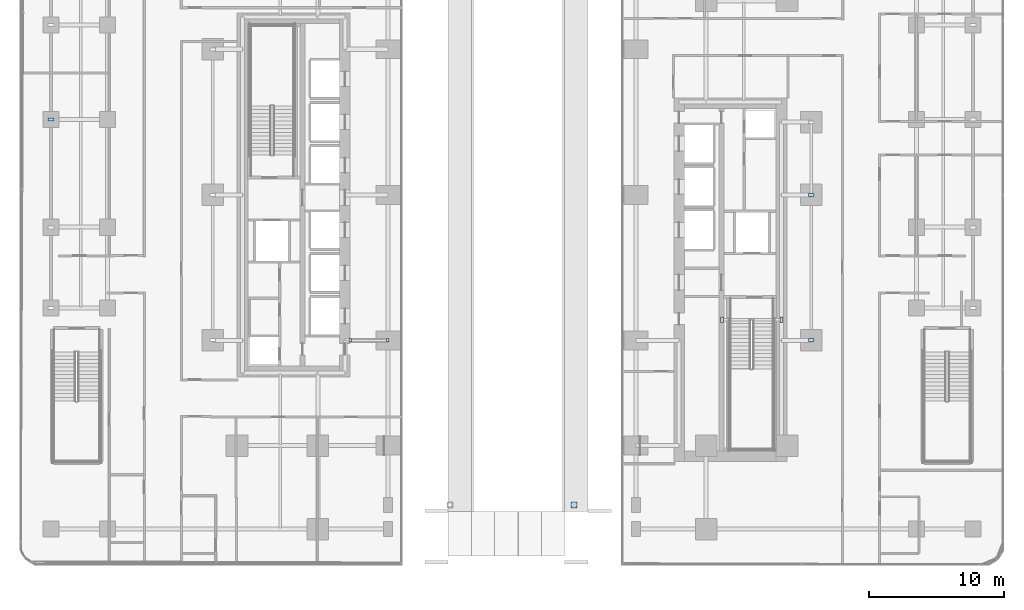
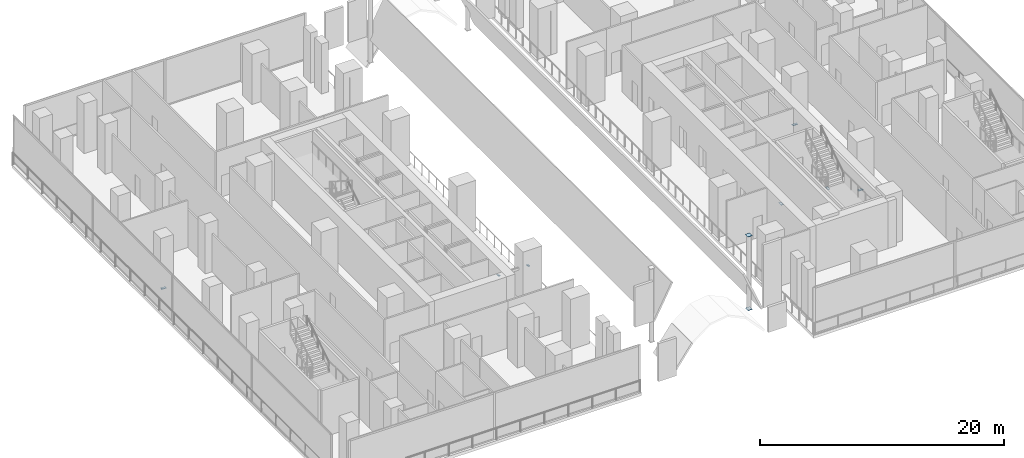
# One storey, part 6 of 31: 9 plates.
"""IFC4 building model written with IfcOpenShell, lengths in metres."""

import ifcopenshell
import ifcopenshell.guid

model = None  # the IFC model being written
_history = None  # IfcOwnerHistory: only IFC2X3 demands one
_inside = {}  # id of a spatial element -> (the spatial element, [elements in it])
_under = {}  # id of a project, library or spatial element -> (it, [spatial elements below it])
_declared = {}  # id of a project -> (the project, [libraries it declares])
_typed = {}  # id of a type object -> (the type object, [elements of that type])
_made_of = {}  # id of a material, layer set ... -> (it, [elements and type objects made of it])


def new_model(schema):
    """Start an empty IFC model of exactly this schema.

    Asked for "IFC4X3", IfcOpenShell would pick the latest addendum, in which some entities
    have other attributes; the version numbers below select the first issue.
    IFC2X3 requires an IfcOwnerHistory on every rooted entity: one is made here for all.
    """
    global model, _history
    if schema == "IFC4X3":
        model = ifcopenshell.file(schema_version=(4, 3, 0, 0))
    else:
        model = ifcopenshell.file(schema=schema)
    _inside.clear()
    _under.clear()
    _declared.clear()
    _typed.clear()
    _made_of.clear()
    _history = None
    if model.schema == "IFC2X3":
        org = make("IfcOrganization", Name="unknown")
        user = make(
            "IfcPersonAndOrganization",
            ThePerson=make("IfcPerson", FamilyName="unknown"),
            TheOrganization=org,
        )
        app = make(
            "IfcApplication",
            ApplicationDeveloper=org,
            Version="unknown",
            ApplicationFullName="unknown",
            ApplicationIdentifier="unknown",
        )
        _history = make(
            "IfcOwnerHistory",
            OwningUser=user,
            OwningApplication=app,
            ChangeAction="ADDED",
            CreationDate=0,
        )
    return model


def make(cls, **values):
    """One entity of the class cls with the attributes given. An attribute that is None is left unset."""
    return model.create_entity(
        cls, **{name: value for name, value in values.items() if value is not None}
    )


def rooted(cls, **values):
    """An entity with a GlobalId (a new one), such as an element, a storey or a relation."""
    return make(cls, GlobalId=ifcopenshell.guid.new(), OwnerHistory=_history, **values)


def si_unit(unit_type, name, prefix=None):
    """IfcSIUnit, for example si_unit("LENGTHUNIT", "METRE", prefix="MILLI")."""
    return make("IfcSIUnit", UnitType=unit_type, Prefix=prefix, Name=name)


def assignment(units):
    """IfcUnitAssignment: the units of a project."""
    return None if units is None else make("IfcUnitAssignment", Units=units)


def point(xyz):
    """IfcCartesianPoint."""
    return None if xyz is None else make("IfcCartesianPoint", Coordinates=xyz)


def direction(xyz):
    """IfcDirection."""
    return None if xyz is None else make("IfcDirection", DirectionRatios=xyz)


def frame(location, z_axis=None, x_axis=None):
    """IfcAxis2Placement3D, a coordinate frame: its origin and axes. An axis left out is left unset."""
    return make(
        "IfcAxis2Placement3D",
        Location=point(location),
        Axis=direction(z_axis),
        RefDirection=direction(x_axis),
    )


def frame_2d(location, x_axis=None):
    """IfcAxis2Placement2D, a coordinate frame in the plane: its origin and x axis."""
    return make(
        "IfcAxis2Placement2D", Location=point(location), RefDirection=direction(x_axis)
    )


def origin():
    """The frame at (0, 0, 0) with its axes left unset."""
    return frame((0.0, 0.0, 0.0))


def origin_2d():
    """The frame at (0, 0) in the plane with its x axis left unset."""
    return frame_2d((0.0, 0.0))


def place(relative_to, where):
    """IfcLocalPlacement: puts the frame where relative to a parent placement (None: the world)."""
    return make(
        "IfcLocalPlacement", PlacementRelTo=relative_to, RelativePlacement=where
    )


def context(
    kind, dimensions, precision=None, world=None, true_north=None, identifier=None
):
    """IfcGeometricRepresentationContext, for example the 3D "Model" context."""
    return make(
        "IfcGeometricRepresentationContext",
        ContextIdentifier=identifier,
        ContextType=kind,
        CoordinateSpaceDimension=dimensions,
        Precision=precision,
        WorldCoordinateSystem=world,
        TrueNorth=true_north,
    )


def subcontext(parent, identifier, kind, view, scale=None):
    """IfcGeometricRepresentationSubContext, for example "Body" below "Model"."""
    return make(
        "IfcGeometricRepresentationSubContext",
        ContextIdentifier=identifier,
        ContextType=kind,
        ParentContext=parent,
        TargetScale=scale,
        TargetView=view,
    )


def project(units=None, contexts=None):
    """IfcProject with its units and contexts."""
    return rooted(
        "IfcProject",
        Name="project",
        RepresentationContexts=contexts,
        UnitsInContext=assignment(units),
    )


def spatial(cls, under=None, at=None, **own):
    """A site, building, storey or space (cls), placed at a placement, below another one or the project."""
    s = rooted(cls, ObjectPlacement=at, **own)
    if under is not None:
        _under.setdefault(under.id(), (under, []))[1].append(s)
    return s


def profile(cls, at=None, kind="AREA", **sizes):
    """A parametric profile (cls). Its sizes go by their IFC names, for example OverallWidth=200.0."""
    return make(cls, ProfileType=kind, Position=at, **sizes)


def rectangle(**sizes):
    """IfcRectangleProfileDef."""
    return profile("IfcRectangleProfileDef", **sizes)


def extrude(swept, where, along, depth):
    """IfcExtrudedAreaSolid: the profile swept, set in the frame where, extruded along a direction by depth."""
    return make(
        "IfcExtrudedAreaSolid",
        SweptArea=swept,
        Position=where,
        ExtrudedDirection=direction(along),
        Depth=depth,
    )


def shape(context_of_items, identifier, shape_type, items):
    """IfcShapeRepresentation: the items that make up one representation, for example the "Body"."""
    return make(
        "IfcShapeRepresentation",
        ContextOfItems=context_of_items,
        RepresentationIdentifier=identifier,
        RepresentationType=shape_type,
        Items=items,
    )


def material(Name=None, Category=None):
    """IfcMaterial."""
    return make("IfcMaterial", Name=Name, Category=Category)


def layer(
    of_material, thickness, ventilated=None, Name=None, Category=None, Priority=None
):
    """IfcMaterialLayer: one layer of a wall or slab, of a material (None: an air gap)."""
    return make(
        "IfcMaterialLayer",
        Material=of_material,
        LayerThickness=thickness,
        IsVentilated=ventilated,
        Name=Name,
        Category=Category,
        Priority=Priority,
    )


def layer_set(layers, Name=None):
    """IfcMaterialLayerSet."""
    return make("IfcMaterialLayerSet", MaterialLayers=layers, LayerSetName=Name)


def made_of(thing, what):
    """Note that an element or type object is made of a material, layer set ...; save() writes the relation."""
    if what is not None:
        _made_of.setdefault(what.id(), (what, []))[1].append(thing)
    return thing


def type_object(cls, material=None, **own):
    """A type object (cls), such as IfcWallType, which elements share."""
    return made_of(rooted(cls, **own), material)


def element(
    cls,
    number,
    at=None,
    inside=None,
    cuts=None,
    type_object=None,
    material=None,
    context=None,
    identifier="Body",
    shape_type=None,
    held_by="IfcProductDefinitionShape",
    body=None,
    shapes=None,
    **own,
):
    """One element of the class cls, such as IfcWall. Its Tag is "e" and its number.

    at: its placement. inside: the storey or other place that contains it. cuts: it is an
    opening in that element (IfcRelVoidsElement). A single representation is given by context,
    identifier, shape_type and body (its items); several are given by shapes. held_by: the class
    of the entity that holds the representations. save() writes the other relations.
    """
    e = rooted(cls, Tag="e%d" % number, ObjectPlacement=at, **own)
    if body is not None:
        shapes = [shape(context, identifier, shape_type, body)]
    if shapes is not None:
        e.Representation = make(held_by, Representations=shapes)
    if inside is not None:
        _inside.setdefault(inside.id(), (inside, []))[1].append(e)
    if cuts is not None:
        rooted(
            "IfcRelVoidsElement", RelatingBuildingElement=cuts, RelatedOpeningElement=e
        )
    if type_object is not None:
        _typed.setdefault(type_object.id(), (type_object, []))[1].append(e)
    return made_of(e, material)


def aggregate(whole, parts):
    """IfcRelAggregates: a whole, such as a stair, and the parts it consists of."""
    return rooted("IfcRelAggregates", RelatingObject=whole, RelatedObjects=parts)


def save(model, path):
    """Write the relations noted so far, then the file.

    IfcRelAggregates (storeys below a building ...), IfcRelContainedInSpatialStructure (elements
    in a storey), IfcRelDefinesByType, IfcRelAssociatesMaterial and IfcRelDeclares: one each for
    every whole, place, type object, material and project.
    """
    for whole, parts in _under.values():
        aggregate(whole, parts)
    for where, things in _inside.values():
        rooted(
            "IfcRelContainedInSpatialStructure",
            RelatedElements=things,
            RelatingStructure=where,
        )
    for kind, things in _typed.values():
        rooted("IfcRelDefinesByType", RelatedObjects=things, RelatingType=kind)
    for what, things in _made_of.values():
        rooted("IfcRelAssociatesMaterial", RelatedObjects=things, RelatingMaterial=what)
    for by, libraries in _declared.values():
        rooted("IfcRelDeclares", RelatingContext=by, RelatedDefinitions=libraries)
    model.write(path)


model = new_model("IFC4")

# Units and contexts
model_context = context("Model", 3, precision=1e-05, world=origin(), true_north=direction((0.0, 1.0)))
body_context = subcontext(model_context, "Body", "Model", "MODEL_VIEW")
ifc_project = project(units=[si_unit("LENGTHUNIT", "METRE"), si_unit("AREAUNIT", "SQUARE_METRE"), si_unit("VOLUMEUNIT", "CUBIC_METRE"), si_unit("PLANEANGLEUNIT", "RADIAN"), si_unit("MASSUNIT", "GRAM", prefix="KILO")], contexts=[model_context])

# Site, building, storey
site_placement = place(None, origin())
site = spatial("IfcSite", under=ifc_project, at=site_placement, CompositionType="ELEMENT")
building_placement = place(site_placement, origin())
building = spatial("IfcBuilding", under=site, at=building_placement, Name="Khairoan Windgate Tower", CompositionType="ELEMENT")
storey_placement = place(building_placement, frame((0.0, 0.0, 11.0)))
storey = spatial("IfcBuildingStorey", under=building, at=storey_placement, Name="L03", CompositionType="ELEMENT", Elevation=11.0)

# Plates
ifc_material = material(Name="Steel S355", Category="steel")
ifc_layer = layer(ifc_material, 0.0400390625, Name="Steel S355")
ifc_layer_set = layer_set([ifc_layer], Name="Steel S355")
plate_type = type_object("IfcPlateType", Name="Hollow Section End-Cap Plate PL-CAP40", PredefinedType="SHEET", material=ifc_layer_set)
for number, where, z_axis, x_axis, name in (
    (1, (4.60009765625, -23.0, 1.169921875), (0.0, 0.0, 1.0), (1.0, 0.0, 0.0), "ARCH-POST-S-2 steel end-cap plate 1"),
    (2, (4.60009765625, -23.0, 8.514892578125), (0.0, 0.0, 1.0), (1.0, 0.0, 0.0), "ARCH-POST-S-2 steel end-cap plate 2"),
):
    element("IfcPlate", number, at=place(storey_placement, frame(where, z_axis=z_axis, x_axis=x_axis)), inside=storey, type_object=plate_type, Name=name, PredefinedType="SHEET", context=body_context, shape_type="SweptSolid", body=[
        extrude(rectangle(XDim=0.426513671875, YDim=0.426513671875, at=origin_2d()), origin(), (0.0, 0.0, 1.0), 0.0400390625),
    ])
for number, where, z_axis, x_axis, name in (
    (3, (-34.199951171875, 5.5849609375, -0.52001953125), (0.0, 0.0, 1.0), (0.0, 1.0, 0.0), "BM-SP-L03-044 steel end-cap plate 2"),
    (4, (22.199951171875, -10.784912109375, -0.52001953125), (0.0, 0.0, 1.0), (0.0, 1.0, 0.0), "BM-SP-L03-084 steel end-cap plate 1"),
    (5, (22.199951171875, -0.014892578125, -0.52001953125), (0.0, 0.0, 1.0), (0.0, 1.0, 0.0), "BM-SP-L03-084 steel end-cap plate 2"),
    (6, (15.56494140625, -9.260009765625, -0.52001953125), (0.0, 0.0, 1.0), (1.0, 0.0, 0.0), "BM-ST1-TRIM-L03 steel end-cap plate 1"),
    (7, (19.985107421875, -9.260009765625, -0.52001953125), (0.0, 0.0, 1.0), (1.0, 0.0, 0.0), "BM-ST1-TRIM-L03 steel end-cap plate 2"),
):
    element("IfcPlate", number, at=place(storey_placement, frame(where, z_axis=z_axis, x_axis=x_axis)), inside=storey, type_object=plate_type, Name=name, PredefinedType="SHEET", context=body_context, shape_type="SweptSolid", body=[
        extrude(rectangle(XDim=0.219970703125, YDim=0.419921875, at=origin_2d()), origin(), (0.0, 0.0, 1.0), 0.0400390625),
    ])
for number, where, z_axis, x_axis, name in (
    (8, (-12.0048828125, -10.800048828125, 2.929931640625), (0.0, 0.0, 1.0), (1.0, 0.0, 0.0), "BM-LINTEL-L03 steel end-cap plate 1"),
    (9, (-9.215087890625, -10.800048828125, 2.929931640625), (0.0, 0.0, 1.0), (1.0, 0.0, 0.0), "BM-LINTEL-L03 steel end-cap plate 2"),
):
    element("IfcPlate", number, at=place(storey_placement, frame(where, z_axis=z_axis, x_axis=x_axis)), inside=storey, type_object=plate_type, Name=name, PredefinedType="SHEET", context=body_context, shape_type="SweptSolid", body=[
        extrude(rectangle(XDim=0.169921875, YDim=0.27001953125, at=origin_2d()), origin(), (0.0, 0.0, 1.0), 0.0400390625),
    ])

save(model, "model.ifc")
